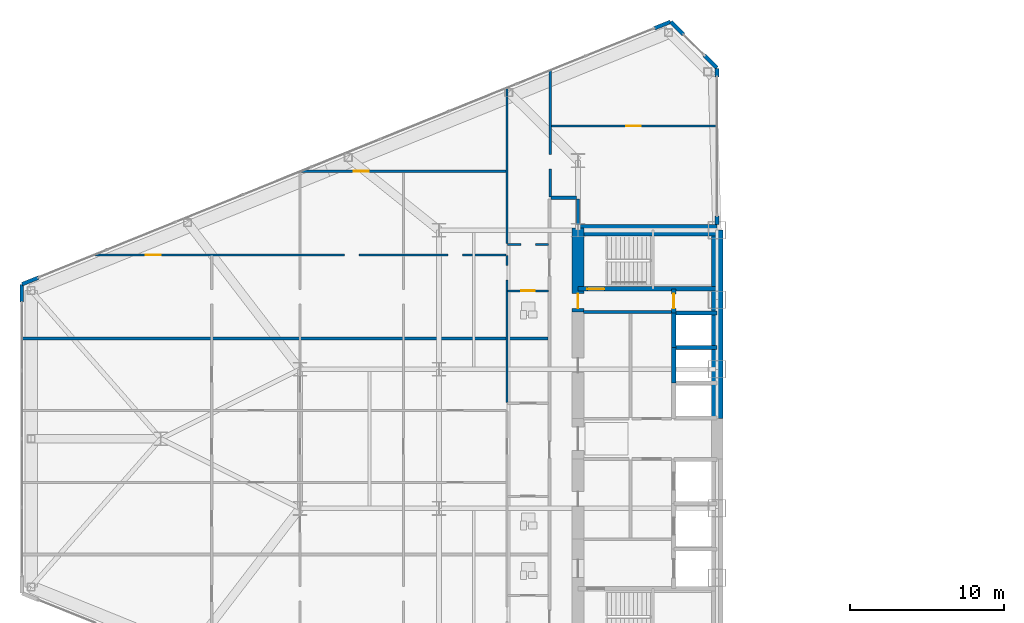
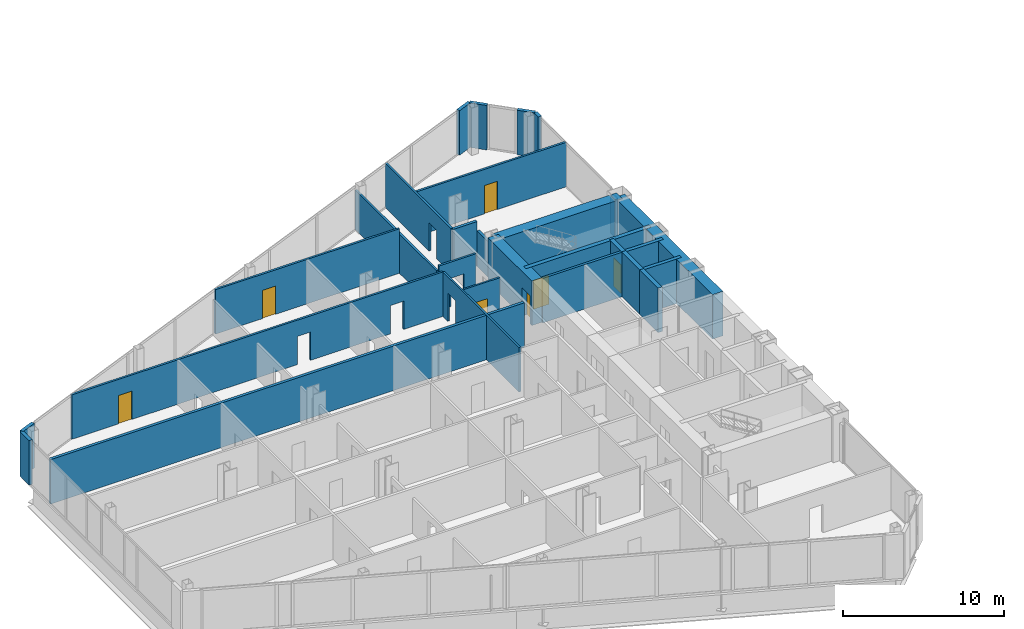
# One storey, part 20 of 26: 28 walls, 7 doors, 12 openings.
"""IFC4 building model written with IfcOpenShell, lengths in metres."""

from ifc_helpers import new_model, si_unit, direction, frame, frame_2d, origin, place, context, subcontext, project, spatial, rectangle, extrude, source, transform, mapped, material, layer, layer_set, type_object, type_shapes, element, fill, save


model = new_model("IFC4")

# Units and contexts
model_context = context("Model", 3, precision=1e-05, world=origin(), true_north=direction((0.0, 1.0)))
body_context = subcontext(model_context, "Body", "Model", "MODEL_VIEW")
ifc_project = project(units=[si_unit("LENGTHUNIT", "METRE"), si_unit("AREAUNIT", "SQUARE_METRE"), si_unit("VOLUMEUNIT", "CUBIC_METRE"), si_unit("PLANEANGLEUNIT", "RADIAN"), si_unit("MASSUNIT", "GRAM", prefix="KILO")], contexts=[model_context])

# Site, building, storey
site_placement = place(None, origin())
site = spatial("IfcSite", under=ifc_project, at=site_placement, CompositionType="ELEMENT")
building_placement = place(site_placement, origin())
building = spatial("IfcBuilding", under=site, at=building_placement, Name="Seokmaru Belvedere", CompositionType="ELEMENT")
storey_placement = place(building_placement, frame((0.0, 0.0, 18.89990234375)))
storey = spatial("IfcBuildingStorey", under=building, at=storey_placement, Name="L04", CompositionType="ELEMENT", Elevation=18.89990234375)

# Wall, openings, door
ifc_material_1 = material(Name="Fire-Rated Gypsum Shaftwall")
ifc_layer_1 = layer(ifc_material_1, 0.14990234375)
ifc_layer_set_1 = layer_set([ifc_layer_1], Name="Fire-Rated Gypsum Shaftwall")
wall_type_1 = type_object("IfcWallType", Name="Apartment Fire-Acoustic Room Partition 150", PredefinedType="PARTITIONING", material=ifc_layer_set_1)
wall_1_placement = place(storey_placement, frame((-67.8330078125, 11.89990234375, 0.0), z_axis=(0.0, 0.0, 1.0), x_axis=(1.0, 0.0, 0.0)))
wall_1 = element("IfcWall", 1, at=wall_1_placement, inside=storey, type_object=wall_type_1, Name="L04 Interior Partition 029", PredefinedType="PARTITIONING", context=body_context, shape_type="SweptSolid", body=[
    extrude(rectangle(XDim=26.68310546875, YDim=0.14990234375, at=frame_2d((13.341552734375, 0.0))), origin(), (0.0, 0.0, 1.0), 3.380126953125),
])
opening_1_placement = place(wall_1_placement, frame((22.907958984375, 0.0, 0.0)))
element("IfcOpeningElement", 2, at=opening_1_placement, cuts=wall_1, Name="L04 Cased Opening 034", PredefinedType="OPENING", context=body_context, shape_type="SweptSolid", body=[
    extrude(rectangle(XDim=0.949951171875, YDim=2.14990234375, at=frame_2d((0.47509765625, 1.074951171875))), frame((0.0, 0.0849609375, 0.0), z_axis=(0.0, -1.0, 0.0), x_axis=(1.0, 0.0, 0.0)), (0.0, 0.0, 1.0), 0.169921875),
])
opening_2_placement = place(wall_1_placement, frame((3.35888671875, 0.0, 0.0)))
opening_2 = element("IfcOpeningElement", 3, at=opening_2_placement, cuts=wall_1, Name="Opening D05", PredefinedType="OPENING", context=body_context, shape_type="SweptSolid", body=[
    extrude(rectangle(XDim=0.949951171875, YDim=2.14990234375, at=frame_2d((0.47509765625, 1.074951171875))), frame((0.0, 0.0849609375, 0.0), z_axis=(0.0, -1.0, 0.0), x_axis=(1.0, 0.0, 0.0)), (0.0, 0.0, 1.0), 0.169921875),
])
opening_3_placement = place(wall_1_placement, frame((16.2080078125, 0.0, 0.0)))
element("IfcOpeningElement", 4, at=opening_3_placement, cuts=wall_1, Name="L04 Cased Opening 038", PredefinedType="OPENING", context=body_context, shape_type="SweptSolid", body=[
    extrude(rectangle(XDim=0.949951171875, YDim=2.14990234375, at=frame_2d((0.47509765625, 1.074951171875))), frame((0.0, 0.0849609375, 0.0), z_axis=(0.0, -1.0, 0.0), x_axis=(1.0, 0.0, 0.0)), (0.0, 0.0, 1.0), 0.169921875),
])
ifc_material_2 = material(Name="Engineered White Oak Timber", Category="wood")
door_type_1 = type_object("IfcDoorType", Name="Apartment Interior Fire-Rated Oak Door 950x2150", OperationType="NOTDEFINED", PredefinedType="DOOR", material=ifc_material_2)
shared_shape_1 = source(origin(), body_context, "Body", "SweptSolid", [
    extrude(rectangle(XDim=0.949951171875, YDim=2.14990234375, at=frame_2d((0.47509765625, 1.074951171875))), frame((0.0, 0.02490234375, 0.0), z_axis=(0.0, -1.0, 0.0), x_axis=(1.0, 0.0, 0.0)), (0.0, 0.0, 1.0), 0.050048828125),
])
type_shapes(door_type_1, [shared_shape_1])
door_1_placement = place(opening_2_placement, origin())
door_1 = element("IfcDoor", 5, at=door_1_placement, inside=storey, type_object=door_type_1, Name="L04 Interior Door 037", OperationType="SINGLE_SWING_LEFT", OverallHeight=2.14990234375, OverallWidth=0.949951171875, PredefinedType="DOOR", context=body_context, shape_type="MappedRepresentation", body=[
    mapped(shared_shape_1, transform((0.0, 0.0, 0.0), scale=1.0)),
])
fill(opening_2, door_1)

# Wall, opening
wall_2_placement = place(storey_placement, frame((-41.050048828125, 12.580078125, 0.0), z_axis=(0.0, 0.0, 1.0), x_axis=(1.0, 0.0, 0.0)))
wall_2 = element("IfcWall", 6, at=wall_2_placement, inside=storey, type_object=wall_type_1, Name="L04 Interior Partition 030", PredefinedType="PARTITIONING", context=body_context, shape_type="SweptSolid", body=[
    extrude(rectangle(XDim=2.650146484375, YDim=0.14990234375, at=frame_2d((1.3251953125, 0.0))), origin(), (0.0, 0.0, 1.0), 3.380126953125),
])
opening_4_placement = place(wall_2_placement, frame((0.85009765625, 0.0, 0.0)))
element("IfcOpeningElement", 7, at=opening_4_placement, cuts=wall_2, Name="L04 Cased Opening 031", PredefinedType="OPENING", context=body_context, shape_type="SweptSolid", body=[
    extrude(rectangle(XDim=0.949951171875, YDim=2.14990234375, at=frame_2d((0.47509765625, 1.074951171875))), frame((0.0, 0.0849609375, 0.0), z_axis=(0.0, -1.0, 0.0), x_axis=(1.0, 0.0, 0.0)), (0.0, 0.0, 1.0), 0.169921875),
])

# Wall, opening, door
wall_3_placement = place(storey_placement, frame((-54.39892578125, 17.31005859375, 0.0), z_axis=(0.0, 0.0, 1.0), x_axis=(1.0, 0.0, 0.0)))
wall_3 = element("IfcWall", 8, at=wall_3_placement, inside=storey, type_object=wall_type_1, Name="L04 Interior Partition 034", PredefinedType="PARTITIONING", context=body_context, shape_type="SweptSolid", body=[
    extrude(rectangle(XDim=13.2490234375, YDim=0.14990234375, at=frame_2d((6.62451171875, 0.0))), origin(), (0.0, 0.0, 1.0), 3.380126953125),
])
opening_5_placement = place(wall_3_placement, frame((3.386962890625, 0.0, 0.0)))
opening_5 = element("IfcOpeningElement", 9, at=opening_5_placement, cuts=wall_3, Name="Opening D05", PredefinedType="OPENING", context=body_context, shape_type="SweptSolid", body=[
    extrude(rectangle(XDim=0.949951171875, YDim=2.14990234375, at=frame_2d((0.47509765625, 1.074951171875))), frame((0.0, 0.0849609375, 0.0), z_axis=(0.0, -1.0, 0.0), x_axis=(1.0, 0.0, 0.0)), (0.0, 0.0, 1.0), 0.169921875),
])
door_2_placement = place(opening_5_placement, origin())
door_2 = element("IfcDoor", 10, at=door_2_placement, inside=storey, type_object=door_type_1, Name="L04 Interior Door 039", OperationType="SINGLE_SWING_LEFT", OverallHeight=2.14990234375, OverallWidth=0.949951171875, PredefinedType="DOOR", context=body_context, shape_type="MappedRepresentation", body=[
    mapped(shared_shape_1, transform((0.0, 0.0, 0.0), scale=1.0)),
])
fill(opening_5, door_2)

wall_4_placement = place(storey_placement, frame((-38.25, 20.25, 0.0), z_axis=(0.0, 0.0, 1.0), x_axis=(1.0, 0.0, 0.0)))
wall_4 = element("IfcWall", 11, at=wall_4_placement, inside=storey, type_object=wall_type_1, Name="L04 Interior Partition 036", PredefinedType="PARTITIONING", context=body_context, shape_type="SweptSolid", body=[
    extrude(rectangle(XDim=10.784912109375, YDim=0.14990234375, at=frame_2d((5.392578125, 0.0))), origin(), (0.0, 0.0, 1.0), 3.380126953125),
])
opening_6_placement = place(wall_4_placement, frame((4.875, 0.0, 0.0)))
opening_6 = element("IfcOpeningElement", 12, at=opening_6_placement, cuts=wall_4, Name="Opening D05", PredefinedType="OPENING", context=body_context, shape_type="SweptSolid", body=[
    extrude(rectangle(XDim=0.949951171875, YDim=2.14990234375, at=frame_2d((0.47509765625, 1.074951171875))), frame((0.0, 0.0849609375, 0.0), z_axis=(0.0, -1.0, 0.0), x_axis=(1.0, 0.0, 0.0)), (0.0, 0.0, 1.0), 0.169921875),
])
door_3_placement = place(opening_6_placement, origin())
door_3 = element("IfcDoor", 13, at=door_3_placement, inside=storey, type_object=door_type_1, Name="L04 Interior Door 041", OperationType="SINGLE_SWING_RIGHT", OverallHeight=2.14990234375, OverallWidth=0.949951171875, PredefinedType="DOOR", context=body_context, shape_type="MappedRepresentation", body=[
    mapped(shared_shape_1, transform((0.0, 0.0, 0.0), scale=1.0)),
])
fill(opening_6, door_3)

# Wall
wall_5_placement = place(storey_placement, frame((-41.10009765625, 12.6279296875, 0.0), z_axis=(0.0, 0.0, 1.0), x_axis=(0.0, 1.0, 0.0)))
element("IfcWall", 14, at=wall_5_placement, inside=storey, type_object=wall_type_1, Name="L04 Interior Partition 044", PredefinedType="PARTITIONING", context=body_context, shape_type="SweptSolid", body=[
    extrude(rectangle(XDim=10.115966796875, YDim=0.14990234375, at=frame_2d((5.05810546875, 0.0))), origin(), (0.0, 0.0, 1.0), 2.989990234375),
])

# Wall, opening
wall_6_placement = place(storey_placement, frame((-38.300048828125, 15.64990234375, 0.0), z_axis=(0.0, 0.0, 1.0), x_axis=(0.0, 1.0, 0.0)))
wall_6 = element("IfcWall", 15, at=wall_6_placement, inside=storey, type_object=wall_type_1, Name="L04 Interior Partition 047", PredefinedType="PARTITIONING", context=body_context, shape_type="SweptSolid", body=[
    extrude(rectangle(XDim=8.22802734375, YDim=0.14990234375, at=frame_2d((4.114013671875, 0.0))), origin(), (0.0, 0.0, 1.0), 3.380126953125),
])
opening_7_placement = place(wall_6_placement, frame((1.800048828125, 0.0, 0.0)))
element("IfcOpeningElement", 16, at=opening_7_placement, cuts=wall_6, Name="L04 Cased Opening 040", PredefinedType="OPENING", context=body_context, shape_type="SweptSolid", body=[
    extrude(rectangle(XDim=0.949951171875, YDim=2.14990234375, at=frame_2d((0.47509765625, 1.074951171875))), frame((0.0, 0.0849609375, 0.0), z_axis=(0.0, -1.0, 0.0), x_axis=(1.0, 0.0, 0.0)), (0.0, 0.0, 1.0), 0.169921875),
])

# Walls
ifc_layer_2 = layer(ifc_material_1, 0.179931640625)
ifc_layer_set_2 = layer_set([ifc_layer_2], Name="Fire-Rated Gypsum Shaftwall")
wall_type_2 = type_object("IfcWallType", Name="Core Service Fire Partition 180", PredefinedType="PARTITIONING", material=ifc_layer_set_2)
wall_7_placement = place(storey_placement, frame((-36.14990234375, 8.199951171875, 0.0), z_axis=(0.0, 0.0, 1.0), x_axis=(1.0, 0.0, 0.0)))
element("IfcWall", 17, at=wall_7_placement, inside=storey, type_object=wall_type_2, Name="L04 West Smokeproof Vestibule Partition", PredefinedType="PARTITIONING", context=body_context, shape_type="SweptSolid", body=[
    extrude(rectangle(XDim=5.699951171875, YDim=0.179931640625, at=frame_2d((2.85009765625, 0.0))), origin(), (0.0, 0.0, 1.0), 3.380126953125),
])
ifc_material_3 = material(Name="Concrete C50 (50 MPa)", Category="concrete")
ifc_layer_3 = layer(ifc_material_3, 0.25)
ifc_layer_set_3 = layer_set([ifc_layer_3], Name="Concrete C50 (50 MPa)")
wall_type_3 = type_object("IfcWallType", Name="Hoistway Transverse Concrete Divider Wall 250", PredefinedType="SHEAR", material=ifc_layer_set_3)
for number, where, z_axis, x_axis, name in (
    (18, (-30.300048828125, 5.89990234375, 0.0), (0.0, 0.0, 1.0), (1.0, 0.0, 0.0), "L04 West Hoistway Divider Core Wall 6"),
    (19, (-30.300048828125, 8.14990234375, 0.0), (0.0, 0.0, 1.0), (1.0, 0.0, 0.0), "L04 West Hoistway Divider Core Wall 7"),
):
    element("IfcWall", number, at=place(storey_placement, frame(where, z_axis=z_axis, x_axis=x_axis)), inside=storey, type_object=wall_type_3, Name=name, PredefinedType="SHEAR", context=body_context, shape_type="SweptSolid", body=[
        extrude(rectangle(XDim=2.800048828125, YDim=0.25, at=frame_2d((1.39990234375, 0.0))), origin(), (0.0, 0.0, 1.0), 3.380126953125),
    ])
ifc_layer_4 = layer(ifc_material_1, 0.199951171875)
ifc_layer_set_4 = layer_set([ifc_layer_4], Name="Fire-Rated Gypsum Shaftwall")
wall_type_4 = type_object("IfcWallType", Name="Inter-Tenancy Fire Compartment Partition 200", PredefinedType="PARTITIONING", material=ifc_layer_set_4)
wall_8_placement = place(storey_placement, frame((-72.5048828125, 6.5, 0.0), z_axis=(0.0, 0.0, 1.0), x_axis=(1.0, 0.0, 0.0)))
element("IfcWall", 20, at=wall_8_placement, inside=storey, type_object=wall_type_4, Name="L04 Interior Partition 024", PredefinedType="PARTITIONING", context=body_context, shape_type="SweptSolid", body=[
    extrude(rectangle(XDim=34.074951171875, YDim=0.199951171875, at=frame_2d((17.03759765625, 0.0))), origin(), (0.0, 0.0, 1.0), 3.380126953125),
])
wall_9_placement = place(storey_placement, frame((-38.264892578125, 15.60009765625, 0.0), z_axis=(0.0, 0.0, 1.0), x_axis=(1.0, 0.0, 0.0)))
element("IfcWall", 21, at=wall_9_placement, inside=storey, type_object=wall_type_4, Name="L04 Interior Partition 031", PredefinedType="PARTITIONING", context=body_context, shape_type="SweptSolid", body=[
    extrude(rectangle(XDim=1.679931640625, YDim=0.199951171875, at=frame_2d((0.83984375, 0.0))), origin(), (0.0, 0.0, 1.0), 3.380126953125),
])
wall_10_placement = place(storey_placement, frame((-36.5, 13.8798828125, 0.0), z_axis=(0.0, 0.0, 1.0), x_axis=(0.0, 1.0, 0.0)))
element("IfcWall", 22, at=wall_10_placement, inside=storey, type_object=wall_type_4, Name="L04 Interior Partition 049", PredefinedType="PARTITIONING", context=body_context, shape_type="SweptSolid", body=[
    extrude(rectangle(XDim=1.635009765625, YDim=0.199951171875, at=frame_2d((0.8173828125, 0.0))), origin(), (0.0, 0.0, 1.0), 2.68017578125),
])

# Wall, opening, door
ifc_layer_5 = layer(ifc_material_3, 0.300048828125)
ifc_layer_set_5 = layer_set([ifc_layer_5], Name="Concrete C50 (50 MPa)")
wall_type_5 = type_object("IfcWallType", Name="Internal Core Stair and Hoistway Wall 300", PredefinedType="SHEAR", material=ifc_layer_set_5)
wall_11_placement = place(storey_placement, frame((-36.5, 9.699951171875, 0.0), z_axis=(0.0, 0.0, 1.0), x_axis=(1.0, 0.0, 0.0)))
wall_11 = element("IfcWall", 23, at=wall_11_placement, inside=storey, type_object=wall_type_5, Name="L04 West Stair ST-2 Enclosure Wall", PredefinedType="SHEAR", context=body_context, shape_type="SweptSolid", body=[
    extrude(rectangle(XDim=9.0, YDim=0.300048828125, at=frame_2d((4.5, 0.0))), origin(), (0.0, 0.0, 1.0), 3.380126953125),
])
opening_8_placement = place(wall_11_placement, frame((0.60009765625, 0.0, 0.0)))
opening_8 = element("IfcOpeningElement", 24, at=opening_8_placement, cuts=wall_11, Name="Opening D01", PredefinedType="OPENING", context=body_context, shape_type="SweptSolid", body=[
    extrude(rectangle(XDim=1.10009765625, YDim=2.199951171875, at=frame_2d((0.550048828125, 1.10009765625))), frame((0.0, 0.16015625, 0.0), z_axis=(0.0, -1.0, 0.0), x_axis=(1.0, 0.0, 0.0)), (0.0, 0.0, 1.0), 0.320068359375),
])
ifc_material_4 = material(Name="Fire-Rated Steel Leaf", Category="steel")
door_type_2 = type_object("IfcDoorType", Name="Special Escape Stair Smokeproof Fire Door 1100x2200", OperationType="NOTDEFINED", PredefinedType="DOOR", material=ifc_material_4)
shared_shape_2 = source(origin(), body_context, "Body", "SweptSolid", [
    extrude(rectangle(XDim=1.10009765625, YDim=2.199951171875, at=frame_2d((0.550048828125, 1.10009765625))), frame((0.0, 0.02490234375, 0.0), z_axis=(0.0, -1.0, 0.0), x_axis=(1.0, 0.0, 0.0)), (0.0, 0.0, 1.0), 0.050048828125),
])
type_shapes(door_type_2, [shared_shape_2])
door_4_placement = place(opening_8_placement, origin())
door_4 = element("IfcDoor", 25, at=door_4_placement, inside=storey, type_object=door_type_2, Name="L04 West Special Escape Stair ST-2 Door", OperationType="SINGLE_SWING_RIGHT", OverallHeight=2.199951171875, OverallWidth=1.10009765625, PredefinedType="DOOR", context=body_context, shape_type="MappedRepresentation", body=[
    mapped(shared_shape_2, transform((0.0, 0.0, 0.0), scale=1.0)),
])
fill(opening_8, door_4)

# Walls
wall_12_placement = place(storey_placement, frame((-30.300048828125, 3.60009765625, 0.0), z_axis=(0.0, 0.0, 1.0), x_axis=(0.0, 1.0, 0.0)))
element("IfcWall", 26, at=wall_12_placement, inside=storey, type_object=wall_type_5, Name="L04 West North Hoistway Wall PH2", PredefinedType="SHEAR", context=body_context, shape_type="SweptSolid", body=[
    extrude(rectangle(XDim=2.2998046875, YDim=0.300048828125, at=frame_2d((1.14990234375, 0.0))), origin(), (0.0, 0.0, 1.0), 3.380126953125),
])
wall_13_placement = place(storey_placement, frame((-30.300048828125, 5.89990234375, 0.0), z_axis=(0.0, 0.0, 1.0), x_axis=(0.0, 1.0, 0.0)))
element("IfcWall", 27, at=wall_13_placement, inside=storey, type_object=wall_type_5, Name="L04 West North Hoistway Wall OBS", PredefinedType="SHEAR", context=body_context, shape_type="SweptSolid", body=[
    extrude(rectangle(XDim=2.25, YDim=0.300048828125, at=frame_2d((1.125, 0.0))), origin(), (0.0, 0.0, 1.0), 3.380126953125),
])

# Wall, opening, door
wall_14_placement = place(storey_placement, frame((-30.300048828125, 8.14990234375, 0.0), z_axis=(0.0, 0.0, 1.0), x_axis=(0.0, 1.0, 0.0)))
wall_14 = element("IfcWall", 28, at=wall_14_placement, inside=storey, type_object=wall_type_5, Name="L04 West Electrical Riser Front Wall", PredefinedType="SHEAR", context=body_context, shape_type="SweptSolid", body=[
    extrude(rectangle(XDim=1.530029296875, YDim=0.300048828125, at=frame_2d((0.76513671875, 0.0))), origin(), (0.0, 0.0, 1.0), 3.380126953125),
])
opening_9_placement = place(wall_14_placement, frame((0.284912109375, 0.0, 0.0)))
opening_9 = element("IfcOpeningElement", 29, at=opening_9_placement, cuts=wall_14, Name="Opening D04", PredefinedType="OPENING", context=body_context, shape_type="SweptSolid", body=[
    extrude(rectangle(XDim=0.949951171875, YDim=2.14990234375, at=frame_2d((0.47509765625, 1.074951171875))), frame((0.0, 0.16015625, 0.0), z_axis=(0.0, -1.0, 0.0), x_axis=(1.0, 0.0, 0.0)), (0.0, 0.0, 1.0), 0.320068359375),
])
door_type_3 = type_object("IfcDoorType", Name="Core Service Room Fire Door 950x2150", OperationType="NOTDEFINED", PredefinedType="DOOR", material=ifc_material_4)
shared_shape_3 = source(origin(), body_context, "Body", "SweptSolid", [
    extrude(rectangle(XDim=0.949951171875, YDim=2.14990234375, at=frame_2d((0.47509765625, 1.074951171875))), frame((0.0, 0.02490234375, 0.0), z_axis=(0.0, -1.0, 0.0), x_axis=(1.0, 0.0, 0.0)), (0.0, 0.0, 1.0), 0.050048828125),
])
type_shapes(door_type_3, [shared_shape_3])
door_5_placement = place(opening_9_placement, origin())
door_5 = element("IfcDoor", 30, at=door_5_placement, inside=storey, type_object=door_type_3, Name="L04 West Electrical Riser Access Door", OperationType="SINGLE_SWING_LEFT", OverallHeight=2.14990234375, OverallWidth=0.949951171875, PredefinedType="DOOR", context=body_context, shape_type="MappedRepresentation", body=[
    mapped(shared_shape_3, transform((0.0, 0.0, 0.0), scale=1.0)),
])
fill(opening_9, door_5)

# Walls
ifc_material_5 = material(Name="Concrete C60 (60 MPa)", Category="concrete")
ifc_layer_6 = layer(ifc_material_5, 0.75)
ifc_layer_set_6 = layer_set([ifc_layer_6], Name="Concrete C60 (60 MPa)")
wall_type_6 = type_object("IfcWallType", Name="Lower Tower Reinforced Concrete Core Wall 750", PredefinedType="SHEAR", material=ifc_layer_set_6)
wall_15_placement = place(storey_placement, frame((-27.5, 1.300048828125, 0.0), z_axis=(0.0, 0.0, 1.0), x_axis=(0.0, 1.0, 0.0)))
element("IfcWall", 31, at=wall_15_placement, inside=storey, type_object=wall_type_6, Name="L04 West Portal Spine Core Wall North", PredefinedType="SHEAR", context=body_context, shape_type="SweptSolid", body=[
    extrude(rectangle(XDim=12.199951171875, YDim=0.75, at=frame_2d((6.10009765625, 0.0))), origin(), (0.0, 0.0, 1.0), 3.380126953125),
])
wall_16_placement = place(storey_placement, frame((-36.5, 13.5, 0.0), z_axis=(0.0, 0.0, 1.0), x_axis=(1.0, 0.0, 0.0)))
element("IfcWall", 32, at=wall_16_placement, inside=storey, type_object=wall_type_6, Name="L04 West North Core Wall", PredefinedType="SHEAR", context=body_context, shape_type="SweptSolid", body=[
    extrude(rectangle(XDim=9.0, YDim=0.75, at=frame_2d((4.5, 0.0))), origin(), (0.0, 0.0, 1.0), 3.380126953125),
])

# Wall, opening, door
wall_17_placement = place(storey_placement, frame((-36.5, 8.199951171875, 0.0), z_axis=(0.0, 0.0, 1.0), x_axis=(0.0, 1.0, 0.0)))
wall_17 = element("IfcWall", 33, at=wall_17_placement, inside=storey, type_object=wall_type_6, Name="L04 West West Core Wall VST", PredefinedType="SHEAR", context=body_context, shape_type="SweptSolid", body=[
    extrude(rectangle(XDim=5.449951171875, YDim=0.75, at=frame_2d((2.72509765625, 0.0))), origin(), (0.0, 0.0, 1.0), 3.380126953125),
])
opening_10_placement = place(wall_17_placement, frame((0.2451171875, 0.0, 0.0)))
opening_10 = element("IfcOpeningElement", 34, at=opening_10_placement, cuts=wall_17, Name="Opening D04", PredefinedType="OPENING", context=body_context, shape_type="SweptSolid", body=[
    extrude(rectangle(XDim=0.949951171875, YDim=2.14990234375, at=frame_2d((0.47509765625, 1.074951171875))), frame((0.0, 0.385009765625, 0.0), z_axis=(0.0, -1.0, 0.0), x_axis=(1.0, 0.0, 0.0)), (0.0, 0.0, 1.0), 0.77001953125),
])
door_6_placement = place(opening_10_placement, frame((0.949951171875, 0.0, 0.0), z_axis=(0.0, 0.0, 1.0), x_axis=(-1.0, 0.0, 0.0)))
door_6 = element("IfcDoor", 35, at=door_6_placement, inside=storey, type_object=door_type_3, Name="L04 West Smokeproof Vestibule Door", OperationType="SINGLE_SWING_RIGHT", OverallHeight=2.14990234375, OverallWidth=0.949951171875, PredefinedType="DOOR", context=body_context, shape_type="MappedRepresentation", body=[
    mapped(shared_shape_3, transform((0.0, 0.0, 0.0), scale=1.0)),
])
fill(opening_10, door_6)

ifc_layer_7 = layer(ifc_material_1, 0.1298828125)
ifc_layer_set_7 = layer_set([ifc_layer_7], Name="Fire-Rated Gypsum Shaftwall")
wall_type_7 = type_object("IfcWallType", Name="Moisture-Resistant Fire-Rated Bathroom Partition 130", PredefinedType="PARTITIONING", material=ifc_layer_set_7)
wall_18_placement = place(storey_placement, frame((-41.050048828125, 9.580078125, 0.0), z_axis=(0.0, 0.0, 1.0), x_axis=(1.0, 0.0, 0.0)))
wall_18 = element("IfcWall", 36, at=wall_18_placement, inside=storey, type_object=wall_type_7, Name="L04 Interior Partition 026", PredefinedType="PARTITIONING", context=body_context, shape_type="SweptSolid", body=[
    extrude(rectangle(XDim=2.650146484375, YDim=0.1298828125, at=frame_2d((1.3251953125, 0.0))), origin(), (0.0, 0.0, 1.0), 3.380126953125),
])
opening_11_placement = place(wall_18_placement, frame((0.885009765625, 0.0, 0.0)))
opening_11 = element("IfcOpeningElement", 37, at=opening_11_placement, cuts=wall_18, Name="Opening D06", PredefinedType="OPENING", context=body_context, shape_type="SweptSolid", body=[
    extrude(rectangle(XDim=0.8798828125, YDim=2.10009765625, at=frame_2d((0.43994140625, 1.050048828125))), frame((0.0, 0.074951171875, 0.0), z_axis=(0.0, -1.0, 0.0), x_axis=(1.0, 0.0, 0.0)), (0.0, 0.0, 1.0), 0.14990234375),
])
door_type_4 = type_object("IfcDoorType", Name="Bathroom and Restroom Fire-Rated Door 880x2100", OperationType="NOTDEFINED", PredefinedType="DOOR", material=ifc_material_2)
shared_shape_4 = source(origin(), body_context, "Body", "SweptSolid", [
    extrude(rectangle(XDim=0.8798828125, YDim=2.10009765625, at=frame_2d((0.43994140625, 1.050048828125))), frame((0.0, 0.02490234375, 0.0), z_axis=(0.0, -1.0, 0.0), x_axis=(1.0, 0.0, 0.0)), (0.0, 0.0, 1.0), 0.050048828125),
])
type_shapes(door_type_4, [shared_shape_4])
door_7_placement = place(opening_11_placement, origin())
door_7 = element("IfcDoor", 38, at=door_7_placement, inside=storey, type_object=door_type_4, Name="L04 Interior Door 030", OperationType="SINGLE_SWING_LEFT", OverallHeight=2.10009765625, OverallWidth=0.8798828125, PredefinedType="DOOR", context=body_context, shape_type="MappedRepresentation", body=[
    mapped(shared_shape_4, transform((0.0, 0.0, 0.0), scale=1.0)),
])
fill(opening_11, door_7)

# Wall, opening
wall_19_placement = place(storey_placement, frame((-41.10009765625, 2.35205078125, 0.0), z_axis=(0.0, 0.0, 1.0), x_axis=(0.0, 1.0, 0.0)))
wall_19 = element("IfcWall", 39, at=wall_19_placement, inside=storey, type_object=wall_type_7, Name="L04 Interior Partition 043", PredefinedType="PARTITIONING", context=body_context, shape_type="SweptSolid", body=[
    extrude(rectangle(XDim=9.5009765625, YDim=0.1298828125, at=frame_2d((4.75048828125, 0.0))), origin(), (0.0, 0.0, 1.0), 3.380126953125),
])
opening_12_placement = place(wall_19_placement, frame((7.913330078125, 0.0, 0.0)))
element("IfcOpeningElement", 40, at=opening_12_placement, cuts=wall_19, Name="L04 Cased Opening 032", PredefinedType="OPENING", context=body_context, shape_type="SweptSolid", body=[
    extrude(rectangle(XDim=0.949951171875, YDim=2.14990234375, at=frame_2d((0.47509765625, 1.074951171875))), frame((0.0, 0.074951171875, 0.0), z_axis=(0.0, -1.0, 0.0), x_axis=(1.0, 0.0, 0.0)), (0.0, 0.0, 1.0), 0.14990234375),
])

# Walls
ifc_material_6 = material(Name="Anodised Bronze Aluminium", Category="aluminium")
ifc_layer_8 = layer(ifc_material_6, 0.239990234375)
ifc_layer_set_8 = layer_set([ifc_layer_8], Name="Anodised Bronze Aluminium")
wall_type_8 = type_object("IfcWallType", Name="Tower Corner Spandrel Closure Wall 240", PredefinedType="SOLIDWALL", material=ifc_layer_set_8)
wall_20_placement = place(storey_placement, frame((-27.5, 13.8798828125, 0.0), z_axis=(0.0, 0.0, 1.0), x_axis=(0.0, 1.0, 0.0)))
element("IfcWall", 41, at=wall_20_placement, inside=storey, type_object=wall_type_8, Name="L04 W Spine Closure Pier 2A", PredefinedType="SOLIDWALL", context=body_context, shape_type="SweptSolid", body=[
    extrude(rectangle(XDim=0.550048828125, YDim=0.239990234375, at=frame_2d((0.27490234375, 0.0))), origin(), (0.0, 0.0, 1.0), 2.880126953125),
])
wall_21_placement = place(storey_placement, frame((-27.5, 23.429931640625, 0.0), z_axis=(0.0, 0.0, 1.0), x_axis=(0.0, 1.0, 0.0)))
element("IfcWall", 42, at=wall_21_placement, inside=storey, type_object=wall_type_8, Name="L04 W Spine Closure Pier 2B", PredefinedType="SOLIDWALL", context=body_context, shape_type="SweptSolid", body=[
    extrude(rectangle(XDim=0.550048828125, YDim=0.239990234375, at=frame_2d((0.27490234375, 0.0))), origin(), (0.0, 0.0, 1.0), 3.380126953125),
])
for number, where, z_axis, x_axis, name in (
    (43, (-27.507080078125, 24.007080078125, 0.0), (0.0, 0.0, 1.0), (-0.707106781187, 0.707106781187, 0.0), "L04 W Corner Closure Pier 2A"),
    (44, (-29.686767578125, 26.186767578125, 0.0), (0.0, 0.0, 1.0), (-0.707106781187, 0.707106781187, 0.0), "L04 W Corner Closure Pier 2B"),
):
    element("IfcWall", number, at=place(storey_placement, frame(where, z_axis=z_axis, x_axis=x_axis)), inside=storey, type_object=wall_type_8, Name=name, PredefinedType="SOLIDWALL", context=body_context, shape_type="SweptSolid", body=[
        extrude(rectangle(XDim=1.14013671875, YDim=0.239990234375, at=frame_2d((0.570068359375, 0.0))), origin(), (0.0, 0.0, 1.0), 3.380126953125),
    ])
for number, where, z_axis, x_axis, name in (
    (45, (-30.50927734375, 26.99609375, 0.0), (0.0, 0.0, 1.0), (-0.927007103665, -0.375043770452, 0.0), "L04 W Corner Closure Pier 3A"),
    (46, (-71.43408203125, 10.431396484375, 0.0), (0.0, 0.0, 1.0), (-0.927007103665, -0.375043770452, 0.0), "L04 W Corner Closure Pier 3B"),
    (47, (-72.5, 9.989990234375, 0.0), (0.0, 0.0, 1.0), (0.0, -1.0, 0.0), "L04 W Corner Closure Pier 4A"),
):
    element("IfcWall", number, at=place(storey_placement, frame(where, z_axis=z_axis, x_axis=x_axis)), inside=storey, type_object=wall_type_8, Name=name, PredefinedType="SOLIDWALL", context=body_context, shape_type="SweptSolid", body=[
        extrude(rectangle(XDim=1.139892578125, YDim=0.239990234375, at=frame_2d((0.56982421875, 0.0))), origin(), (0.0, 0.0, 1.0), 3.380126953125),
    ])

save(model, "model.ifc")
